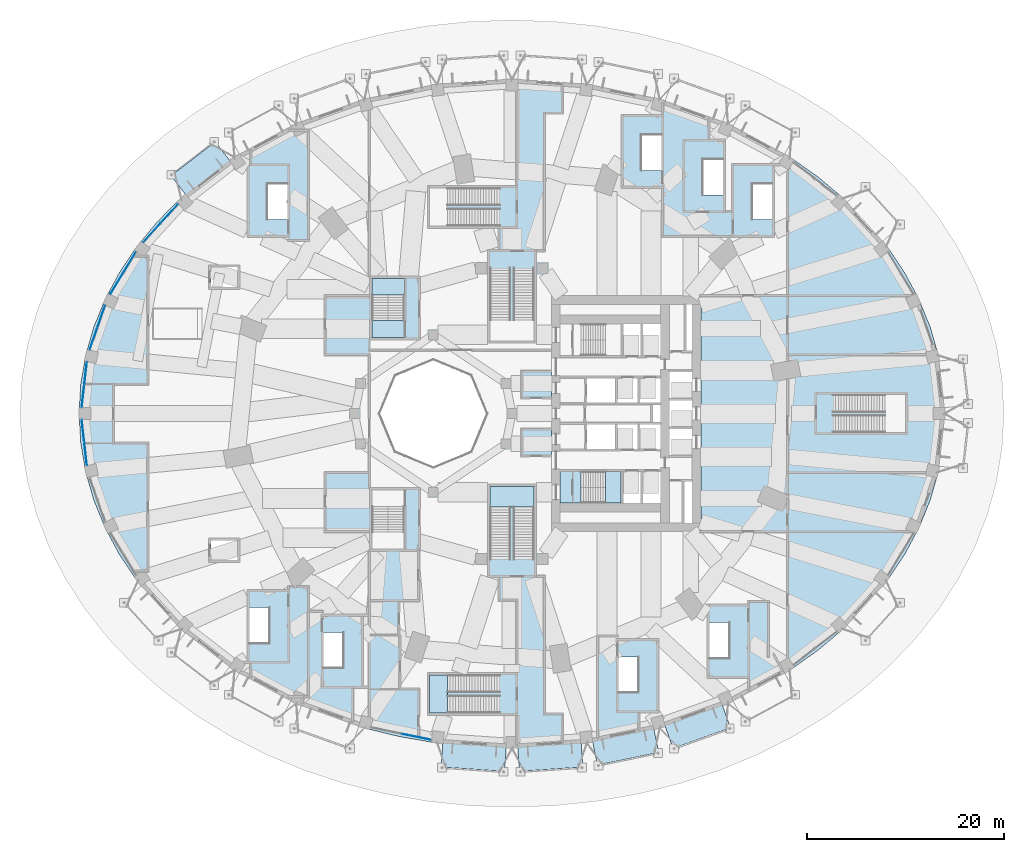
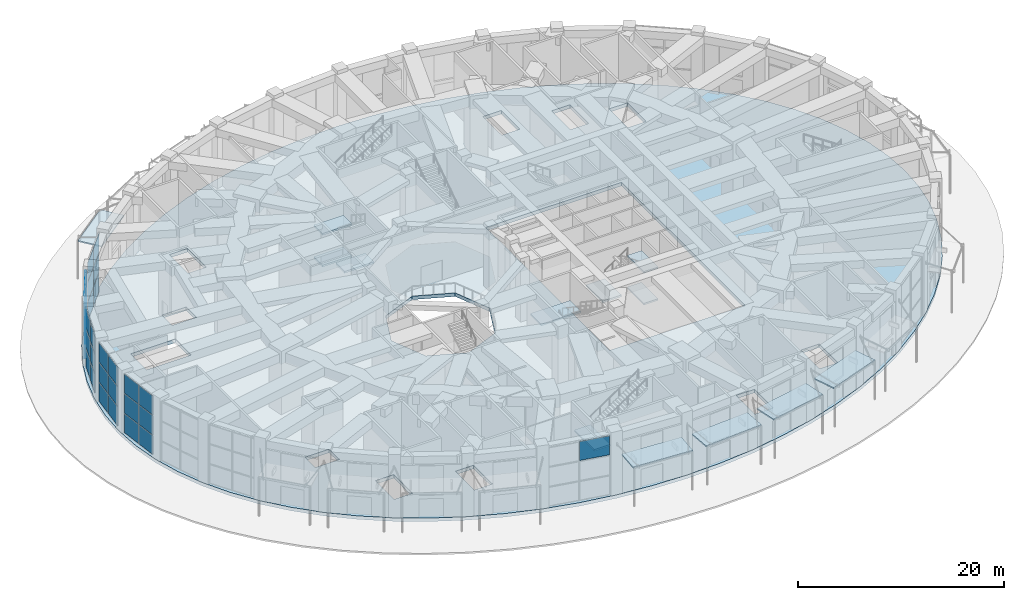
# One storey, part 31 of 60: 31 plates, 14 slabs, 10 elements without a shape of their own.
"""IFC4 building model written with IfcOpenShell, lengths in metres."""

from ifc_helpers import new_model, si_unit, direction, frame, origin, origin_2d, place, context, subcontext, project, spatial, polyline, rectangle, outline, extrude, material, layer, layer_set, constituent, constituent_set, type_object, element, aggregate, save


model = new_model("IFC4")

# Units and contexts
model_context = context("Model", 3, precision=1e-05, world=origin(), true_north=direction((0.0, 1.0)))
body_context = subcontext(model_context, "Body", "Model", "MODEL_VIEW")
ifc_project = project(units=[si_unit("LENGTHUNIT", "METRE"), si_unit("AREAUNIT", "SQUARE_METRE"), si_unit("VOLUMEUNIT", "CUBIC_METRE"), si_unit("PLANEANGLEUNIT", "RADIAN"), si_unit("MASSUNIT", "GRAM", prefix="KILO")], contexts=[model_context])

# Site, building, storey
site_placement = place(None, origin())
site = spatial("IfcSite", under=ifc_project, at=site_placement, CompositionType="ELEMENT")
building_placement = place(site_placement, origin())
building = spatial("IfcBuilding", under=site, at=building_placement, Name="Taillehof Tower", CompositionType="ELEMENT")
storey_placement = place(building_placement, origin())
storey = spatial("IfcBuildingStorey", under=building, at=storey_placement, Name="L00", CompositionType="ELEMENT", Elevation=0.0)

# Slabs
ifc_material_1 = material(Name="Steel S460M", Category="steel")
ifc_constituent_1 = constituent(ifc_material_1, Name="Plate", Category="steel")
ifc_material_2 = material(Name="Aluminium soffit", Category="aluminium")
ifc_constituent_2 = constituent(ifc_material_2, Name="Soffit", Category="aluminium")
ifc_constituent_set = constituent_set(constituents=[ifc_constituent_1, ifc_constituent_2], Name="Entrance canopy 150")
slab_type_1 = type_object("IfcSlabType", Name="Entrance canopy 150", PredefinedType="ROOF", material=ifc_constituent_set)
slab_1_placement = place(storey_placement, frame((0.0, 0.0, 4.449951171875)))
element("IfcSlab", 1, at=slab_1_placement, inside=storey, type_object=slab_type_1, Name="Canopy over E2", PredefinedType="ROOF", context=body_context, shape_type="SweptSolid", body=[
    extrude(outline(polyline([(-28.62841796875, 25.6513671875), (-33.124267578125, 22.191162109375), (-34.64892578125, 24.172119140625), (-30.1533203125, 27.632568359375), (-28.62841796875, 25.6513671875)])), origin(), (0.0, 0.0, 1.0), 0.150146484375),
])
slab_2_placement = place(storey_placement, frame((0.0, 0.0, 4.449951171875)))
element("IfcSlab", 2, at=slab_2_placement, inside=storey, type_object=slab_type_1, Name="Canopy over E5", PredefinedType="ROOF", context=body_context, shape_type="SweptSolid", body=[
    extrude(outline(polyline([(-7.02685546875, -33.426513671875), (-0.576904296875, -33.86083984375), (-0.74462890625, -36.355224609375), (-7.19482421875, -35.9208984375), (-7.02685546875, -33.426513671875)])), origin(), (0.0, 0.0, 1.0), 0.150146484375),
])
slab_3_placement = place(storey_placement, frame((0.0, 0.0, 4.449951171875)))
element("IfcSlab", 3, at=slab_3_placement, inside=storey, type_object=slab_type_1, Name="Canopy over E6", PredefinedType="ROOF", context=body_context, shape_type="SweptSolid", body=[
    extrude(outline(polyline([(0.576904296875, -33.86083984375), (7.02685546875, -33.426513671875), (7.19482421875, -35.9208984375), (0.74462890625, -36.355224609375), (0.576904296875, -33.86083984375)])), origin(), (0.0, 0.0, 1.0), 0.150146484375),
])
slab_4_placement = place(storey_placement, frame((0.0, 0.0, 4.449951171875)))
element("IfcSlab", 4, at=slab_4_placement, inside=storey, type_object=slab_type_1, Name="Canopy over E7", PredefinedType="ROOF", context=body_context, shape_type="SweptSolid", body=[
    extrude(outline(polyline([(8.170166015625, -33.27099609375), (14.412353515625, -31.983642578125), (14.917236328125, -34.43212890625), (8.675048828125, -35.719482421875), (8.170166015625, -33.27099609375)])), origin(), (0.0, 0.0, 1.0), 0.150146484375),
])
slab_5_placement = place(storey_placement, frame((0.0, 0.0, 4.449951171875)))
element("IfcSlab", 5, at=slab_5_placement, inside=storey, type_object=slab_type_1, Name="Canopy over E8", PredefinedType="ROOF", context=body_context, shape_type="SweptSolid", body=[
    extrude(outline(polyline([(15.5234375, -31.67138671875), (21.3583984375, -29.577392578125), (22.202880859375, -31.930419921875), (16.367919921875, -34.0244140625), (15.5234375, -31.67138671875)])), origin(), (0.0, 0.0, 1.0), 0.150146484375),
])
ifc_material_3 = material(Name="Concrete C40/50", Category="concrete")
ifc_layer_1 = layer(ifc_material_3, 0.409912109375)
ifc_layer_set_1 = layer_set([ifc_layer_1], Name="Floor slab 410")
slab_type_2 = type_object("IfcSlabType", Name="Floor slab 410", PredefinedType="FLOOR", material=ifc_layer_set_1)
slab_6_placement = place(storey_placement, frame((0.0, 0.0, -0.409912109375)))
element("IfcSlab", 6, at=slab_6_placement, inside=storey, type_object=slab_type_2, Name="Floor slab L00", PredefinedType="FLOOR", context=body_context, shape_type="SweptSolid", body=[
    extrude(outline(polyline([(44.0, 0.0), (43.83251953125, 2.96337890625), (43.33154296875, 5.904052734375), (42.500732421875, 8.7998046875), (41.346435546875, 11.628662109375), (39.87744140625, 14.368896484375), (38.10498046875, 17.0), (36.042724609375, 19.501708984375), (33.7060546875, 21.854736328125), (31.11279296875, 24.04150390625), (28.28271484375, 26.04541015625), (25.2373046875, 27.851318359375), (22.0, 29.44482421875), (18.59521484375, 30.814453125), (15.048828125, 31.949462890625), (11.387939453125, 32.841552734375), (7.640380859375, 33.4833984375), (3.8349609375, 33.87060546875), (0.0, 34.0), (-3.8349609375, 33.87060546875), (-7.640380859375, 33.4833984375), (-11.387939453125, 32.841552734375), (-15.048828125, 31.949462890625), (-18.59521484375, 30.814453125), (-22.0, 29.44482421875), (-25.2373046875, 27.851318359375), (-28.28271484375, 26.04541015625), (-31.11279296875, 24.04150390625), (-33.7060546875, 21.854736328125), (-36.042724609375, 19.501708984375), (-38.10498046875, 17.0), (-39.87744140625, 14.368896484375), (-41.346435546875, 11.628662109375), (-42.500732421875, 8.7998046875), (-43.33154296875, 5.904052734375), (-43.83251953125, 2.96337890625), (-44.0, 0.0), (-43.83251953125, -2.96337890625), (-43.33154296875, -5.904052734375), (-42.500732421875, -8.7998046875), (-41.346435546875, -11.628662109375), (-39.87744140625, -14.368896484375), (-38.10498046875, -17.0), (-36.042724609375, -19.501708984375), (-33.7060546875, -21.854736328125), (-31.11279296875, -24.04150390625), (-28.28271484375, -26.04541015625), (-25.2373046875, -27.851318359375), (-22.0, -29.44482421875), (-18.59521484375, -30.814453125), (-15.048828125, -31.949462890625), (-11.387939453125, -32.841552734375), (-7.640380859375, -33.4833984375), (-3.8349609375, -33.87060546875), (0.0, -34.0), (3.8349609375, -33.87060546875), (7.640380859375, -33.4833984375), (11.387939453125, -32.841552734375), (15.048828125, -31.949462890625), (18.59521484375, -30.814453125), (22.0, -29.44482421875), (25.2373046875, -27.851318359375), (28.28271484375, -26.04541015625), (31.11279296875, -24.04150390625), (33.7060546875, -21.854736328125), (36.042724609375, -19.501708984375), (38.10498046875, -17.0), (39.87744140625, -14.368896484375), (41.346435546875, -11.628662109375), (42.500732421875, -8.7998046875), (43.33154296875, -5.904052734375), (43.83251953125, -2.96337890625), (44.0, 0.0)]), holes=[polyline([(-19.175048828125, -22.2255859375), (-17.125, -22.2255859375), (-17.125, -25.864990234375), (-19.175048828125, -25.864990234375), (-19.175048828125, -22.2255859375)]), polyline([(-24.625, -19.7255859375), (-24.625, -23.364990234375), (-26.675048828125, -23.364990234375), (-26.675048828125, -19.7255859375), (-24.625, -19.7255859375)]), polyline([(-27.89990234375, -14.875), (-30.60009765625, -14.875), (-30.60009765625, -12.875), (-27.89990234375, -12.875), (-27.89990234375, -14.875)]), polyline([(-11.88916015625, -3.88916015625), (-13.5, 0.0), (-11.88916015625, 3.88916015625), (-8.0, 5.5), (-4.11083984375, 3.88916015625), (-2.5, 0.0), (-4.11083984375, -3.88916015625), (-8.0, -5.5), (-11.88916015625, -3.88916015625)]), polyline([(-36.5, 7.60009765625), (-36.5, 10.699951171875), (-31.5, 10.699951171875), (-31.5, 7.60009765625), (-36.5, 7.60009765625)]), polyline([(-30.60009765625, 12.875), (-30.60009765625, 14.875), (-27.89990234375, 14.875), (-27.89990234375, 12.875), (-30.60009765625, 12.875)]), polyline([(-22.824951171875, 19.7255859375), (-24.875, 19.7255859375), (-24.875, 23.364990234375), (-22.824951171875, 23.364990234375), (-22.824951171875, 19.7255859375)]), polyline([(12.875, -24.7255859375), (12.875, -28.364990234375), (10.824951171875, -28.364990234375), (10.824951171875, -24.7255859375), (12.875, -24.7255859375)]), polyline([(22.125, -21.2255859375), (22.125, -24.864990234375), (20.074951171875, -24.864990234375), (20.074951171875, -21.2255859375), (22.125, -21.2255859375)]), polyline([(4.0, -12.0), (4.0, 12.0), (19.199951171875, 12.0), (19.199951171875, -12.0), (4.0, -12.0)]), polyline([(24.375, 19.7255859375), (24.375, 23.364990234375), (26.425048828125, 23.364990234375), (26.425048828125, 19.7255859375), (24.375, 19.7255859375)]), polyline([(19.375, 22.2255859375), (19.375, 25.864990234375), (21.425048828125, 25.864990234375), (21.425048828125, 22.2255859375), (19.375, 22.2255859375)]), polyline([(13.125, 24.7255859375), (13.125, 28.364990234375), (15.175048828125, 28.364990234375), (15.175048828125, 24.7255859375), (13.125, 24.7255859375)])]), origin(), (0.0, 0.0, 1.0), 0.409912109375),
])

# Stair, slab
ifc_material_4 = material(Name="Concrete C30/37", Category="concrete")
stair_type_1 = type_object("IfcStairType", Name="Escape stair 2100 mm", PredefinedType="HALF_TURN_STAIR", material=ifc_material_4)
stair_1_placement = place(storey_placement, origin())
stair_1 = element("IfcStair", 7, at=stair_1_placement, inside=storey, type_object=stair_type_1, Name="Escape stair P2", PredefinedType="HALF_TURN_STAIR")
ifc_material_5 = material(Name="Concrete C30/37", Category="concrete")
ifc_layer_2 = layer(ifc_material_5, 0.199951171875)
ifc_layer_set_2 = layer_set([ifc_layer_2], Name="Stair landing 200 mm")
slab_type_3 = type_object("IfcSlabType", Name="Stair landing 200 mm", PredefinedType="LANDING", material=ifc_layer_set_2)
slab_7_placement = place(storey_placement, frame((0.0, 0.0, 3.550048828125)))
slab_7 = element("IfcSlab", 8, at=slab_7_placement, type_object=slab_type_3, Name="P2 landing 1", PredefinedType="LANDING", context=body_context, shape_type="SweptSolid", body=[
    extrude(outline(polyline([(-2.22509765625, -9.5), (2.22509765625, -9.5), (2.22509765625, -7.39990234375), (-2.22509765625, -7.39990234375), (-2.22509765625, -9.5)])), origin(), (0.0, 0.0, 1.0), 0.199951171875),
])
aggregate(stair_1, [slab_7])

ifc_material_6 = material(Name="Concrete C30/37", Category="concrete")
stair_type_2 = type_object("IfcStairType", Name="Escape stair 1800 mm", PredefinedType="HALF_TURN_STAIR", material=ifc_material_6)
stair_2_placement = place(storey_placement, origin())
stair_2 = element("IfcStair", 9, at=stair_2_placement, inside=storey, type_object=stair_type_2, Name="Escape stair P4", PredefinedType="HALF_TURN_STAIR")
slab_8_placement = place(storey_placement, frame((0.0, 0.0, 3.550048828125)))
slab_8 = element("IfcSlab", 10, at=slab_8_placement, type_object=slab_type_3, Name="P4 landing 1", PredefinedType="LANDING", context=body_context, shape_type="SweptSolid", body=[
    extrude(outline(polyline([(-6.56005859375, -30.425048828125), (-6.56005859375, -26.574951171875), (-8.360107421875, -26.574951171875), (-8.360107421875, -30.425048828125), (-6.56005859375, -30.425048828125)])), origin(), (0.0, 0.0, 1.0), 0.199951171875),
])
aggregate(stair_2, [slab_8])

# Stair, slabs
ifc_material_7 = material(Name="Concrete C40/50", Category="concrete")
stair_type_3 = type_object("IfcStairType", Name="Exit stair half-turn", PredefinedType="HALF_TURN_STAIR", material=ifc_material_7)
stair_3_placement = place(storey_placement, origin())
stair_3 = element("IfcStair", 11, at=stair_3_placement, inside=storey, type_object=stair_type_3, Name="Exit stair S2", PredefinedType="HALF_TURN_STAIR")
ifc_material_8 = material(Name="Concrete C40/50", Category="concrete")
ifc_layer_3 = layer(ifc_material_8, 0.2099609375)
ifc_layer_set_3 = layer_set([ifc_layer_3], Name="Stair landing C40/50 210")
slab_type_4 = type_object("IfcSlabType", Name="Stair landing C40/50 210", PredefinedType="LANDING", material=ifc_layer_set_3)
slab_9_placement = place(storey_placement, frame((0.0, 0.0, 1.6650390625)))
slab_9 = element("IfcSlab", 12, at=slab_9_placement, type_object=slab_type_4, Name="S2 landing 1", PredefinedType="LANDING", context=body_context, shape_type="SweptSolid", body=[
    extrude(outline(polyline([(9.5, -5.89990234375), (11.10009765625, -5.89990234375), (11.10009765625, -9.10009765625), (9.5, -9.10009765625), (9.5, -5.89990234375)])), origin(), (0.0, 0.0, 1.0), 0.2099609375),
])
slab_10_placement = place(storey_placement, frame((0.0, 0.0, 3.5400390625)))
slab_10 = element("IfcSlab", 13, at=slab_10_placement, type_object=slab_type_4, Name="S2 landing 2", PredefinedType="LANDING", context=body_context, shape_type="SweptSolid", body=[
    extrude(outline(polyline([(4.89990234375, -5.89990234375), (7.0, -5.89990234375), (7.0, -9.10009765625), (4.89990234375, -9.10009765625), (4.89990234375, -5.89990234375)])), origin(), (0.0, 0.0, 1.0), 0.2099609375),
])
slab_11_placement = place(storey_placement, frame((0.0, 0.0, 5.4150390625)))
slab_11 = element("IfcSlab", 14, at=slab_11_placement, type_object=slab_type_4, Name="S2 landing 3", PredefinedType="LANDING", context=body_context, shape_type="SweptSolid", body=[
    extrude(outline(polyline([(9.5, -5.89990234375), (11.10009765625, -5.89990234375), (11.10009765625, -9.10009765625), (9.5, -9.10009765625), (9.5, -5.89990234375)])), origin(), (0.0, 0.0, 1.0), 0.2099609375),
])
aggregate(stair_3, [slab_9, slab_10, slab_11])

stair_4_placement = place(storey_placement, origin())
stair_4 = element("IfcStair", 15, at=stair_4_placement, inside=storey, type_object=stair_type_3, Name="Exit stair S3", PredefinedType="HALF_TURN_STAIR")
slab_12_placement = place(storey_placement, frame((0.0, 0.0, 1.6650390625)))
slab_12 = element("IfcSlab", 16, at=slab_12_placement, type_object=slab_type_4, Name="S3 landing 1", PredefinedType="LANDING", context=body_context, shape_type="SweptSolid", body=[
    extrude(outline(polyline([(-14.25, 12.050048828125), (-14.25, 13.75), (-10.949951171875, 13.75), (-10.949951171875, 12.050048828125), (-14.25, 12.050048828125)])), origin(), (0.0, 0.0, 1.0), 0.2099609375),
])
slab_13_placement = place(storey_placement, frame((0.0, 0.0, 3.5400390625)))
slab_13 = element("IfcSlab", 17, at=slab_13_placement, type_object=slab_type_4, Name="S3 landing 2", PredefinedType="LANDING", context=body_context, shape_type="SweptSolid", body=[
    extrude(outline(polyline([(-14.25, 7.75), (-14.25, 9.449951171875), (-10.949951171875, 9.449951171875), (-10.949951171875, 7.75), (-14.25, 7.75)])), origin(), (0.0, 0.0, 1.0), 0.2099609375),
])
slab_14_placement = place(storey_placement, frame((0.0, 0.0, 5.4150390625)))
slab_14 = element("IfcSlab", 18, at=slab_14_placement, type_object=slab_type_4, Name="S3 landing 3", PredefinedType="LANDING", context=body_context, shape_type="SweptSolid", body=[
    extrude(outline(polyline([(-14.25, 12.050048828125), (-14.25, 13.75), (-10.949951171875, 13.75), (-10.949951171875, 12.050048828125), (-14.25, 12.050048828125)])), origin(), (0.0, 0.0, 1.0), 0.2099609375),
])
aggregate(stair_4, [slab_12, slab_13, slab_14])

# Curtain wall, plates
ifc_material_9 = material(Name="Aluminium curtain wall with Clear laminated safety glass", Category="aluminium")
curtain_wall_type = type_object("IfcCurtainWallType", Name="Station storefront curtain wall", PredefinedType="USERDEFINED", material=ifc_material_9)
curtain_wall_1_placement = place(storey_placement, origin())
curtain_wall_1 = element("IfcCurtainWall", 19, at=curtain_wall_1_placement, inside=storey, type_object=curtain_wall_type, Name="Station storefront L00 bay 15", ObjectType="STOREFRONT", PredefinedType="USERDEFINED")
ifc_material_10 = material(Name="Clear laminated safety glass", Category="glass")
ifc_layer_4 = layer(ifc_material_10, 0.031982421875)
ifc_layer_set_4 = layer_set([ifc_layer_4], Name="Station storefront glass panel 32")
plate_type = type_object("IfcPlateType", Name="Station storefront glass panel 32", PredefinedType="CURTAIN_PANEL", material=ifc_layer_set_4)
plate_1_placement = place(storey_placement, frame((-34.81982421875, 20.330322265625, 0.080078125), z_axis=(0.0, 0.0, 1.0), x_axis=(-0.672928961769, -0.739707112587, 0.0)))
plate_1 = element("IfcPlate", 20, at=plate_1_placement, type_object=plate_type, Name="CT115 panel 1.1", PredefinedType="CURTAIN_PANEL", context=body_context, shape_type="SweptSolid", body=[
    extrude(rectangle(XDim=2.568115234375, YDim=0.031982421875, at=origin_2d()), origin(), (0.0, 0.0, 1.0), 2.243408203125),
])
plate_2_placement = place(storey_placement, frame((-34.81982421875, 20.330322265625, 2.4033203125), z_axis=(0.0, 0.0, 1.0), x_axis=(-0.672928961769, -0.739707112587, 0.0)))
plate_2 = element("IfcPlate", 21, at=plate_2_placement, type_object=plate_type, Name="CT115 panel 1.2", PredefinedType="CURTAIN_PANEL", context=body_context, shape_type="SweptSolid", body=[
    extrude(rectangle(XDim=2.568115234375, YDim=0.031982421875, at=origin_2d()), origin(), (0.0, 0.0, 1.0), 2.283447265625),
])
plate_3_placement = place(storey_placement, frame((-34.81982421875, 20.330322265625, 4.7666015625), z_axis=(0.0, 0.0, 1.0), x_axis=(-0.672928961769, -0.739707112587, 0.0)))
plate_3 = element("IfcPlate", 22, at=plate_3_placement, type_object=plate_type, Name="CT115 panel 1.3", PredefinedType="CURTAIN_PANEL", context=body_context, shape_type="SweptSolid", body=[
    extrude(rectangle(XDim=2.568115234375, YDim=0.031982421875, at=origin_2d()), origin(), (0.0, 0.0, 1.0), 2.243408203125),
])
plate_4_placement = place(storey_placement, frame((-36.601806640625, 18.37158203125, 0.080078125), z_axis=(0.0, 0.0, 1.0), x_axis=(-0.672928961769, -0.739707112587, 0.0)))
plate_4 = element("IfcPlate", 23, at=plate_4_placement, type_object=plate_type, Name="CT115 panel 2.1", PredefinedType="CURTAIN_PANEL", context=body_context, shape_type="SweptSolid", body=[
    extrude(rectangle(XDim=2.568115234375, YDim=0.031982421875, at=origin_2d()), origin(), (0.0, 0.0, 1.0), 2.243408203125),
])
plate_5_placement = place(storey_placement, frame((-36.601806640625, 18.37158203125, 2.4033203125), z_axis=(0.0, 0.0, 1.0), x_axis=(-0.672928961769, -0.739707112587, 0.0)))
plate_5 = element("IfcPlate", 24, at=plate_5_placement, type_object=plate_type, Name="CT115 panel 2.2", PredefinedType="CURTAIN_PANEL", context=body_context, shape_type="SweptSolid", body=[
    extrude(rectangle(XDim=2.568115234375, YDim=0.031982421875, at=origin_2d()), origin(), (0.0, 0.0, 1.0), 2.283447265625),
])
plate_6_placement = place(storey_placement, frame((-36.601806640625, 18.37158203125, 4.7666015625), z_axis=(0.0, 0.0, 1.0), x_axis=(-0.672928961769, -0.739707112587, 0.0)))
plate_6 = element("IfcPlate", 25, at=plate_6_placement, type_object=plate_type, Name="CT115 panel 2.3", PredefinedType="CURTAIN_PANEL", context=body_context, shape_type="SweptSolid", body=[
    extrude(rectangle(XDim=2.568115234375, YDim=0.031982421875, at=origin_2d()), origin(), (0.0, 0.0, 1.0), 2.243408203125),
])
aggregate(curtain_wall_1, [plate_1, plate_2, plate_3, plate_4, plate_5, plate_6])

curtain_wall_2_placement = place(storey_placement, origin())
curtain_wall_2 = element("IfcCurtainWall", 26, at=curtain_wall_2_placement, inside=storey, type_object=curtain_wall_type, Name="Station storefront L00 bay 16", ObjectType="STOREFRONT", PredefinedType="USERDEFINED")
plate_7_placement = place(storey_placement, frame((-38.87353515625, 15.340576171875, 0.080078125), z_axis=(0.0, 0.0, 1.0), x_axis=(-0.518151483931, -0.855288863309, 0.0)))
plate_7 = element("IfcPlate", 27, at=plate_7_placement, type_object=plate_type, Name="CT116 panel 1.1", PredefinedType="CURTAIN_PANEL", context=body_context, shape_type="SweptSolid", body=[
    extrude(rectangle(XDim=2.431884765625, YDim=0.031982421875, at=origin_2d()), origin(), (0.0, 0.0, 1.0), 2.243408203125),
])
plate_8_placement = place(storey_placement, frame((-38.87353515625, 15.340576171875, 2.4033203125), z_axis=(0.0, 0.0, 1.0), x_axis=(-0.518151483931, -0.855288863309, 0.0)))
plate_8 = element("IfcPlate", 28, at=plate_8_placement, type_object=plate_type, Name="CT116 panel 1.2", PredefinedType="CURTAIN_PANEL", context=body_context, shape_type="SweptSolid", body=[
    extrude(rectangle(XDim=2.431884765625, YDim=0.031982421875, at=origin_2d()), origin(), (0.0, 0.0, 1.0), 2.283447265625),
])
plate_9_placement = place(storey_placement, frame((-38.87353515625, 15.340576171875, 4.7666015625), z_axis=(0.0, 0.0, 1.0), x_axis=(-0.518151483931, -0.855288863309, 0.0)))
plate_9 = element("IfcPlate", 29, at=plate_9_placement, type_object=plate_type, Name="CT116 panel 1.3", PredefinedType="CURTAIN_PANEL", context=body_context, shape_type="SweptSolid", body=[
    extrude(rectangle(XDim=2.431884765625, YDim=0.031982421875, at=origin_2d()), origin(), (0.0, 0.0, 1.0), 2.243408203125),
])
plate_10_placement = place(storey_placement, frame((-40.175048828125, 13.192138671875, 0.080078125), z_axis=(0.0, 0.0, 1.0), x_axis=(-0.518151483931, -0.855288863309, 0.0)))
plate_10 = element("IfcPlate", 30, at=plate_10_placement, type_object=plate_type, Name="CT116 panel 2.1", PredefinedType="CURTAIN_PANEL", context=body_context, shape_type="SweptSolid", body=[
    extrude(rectangle(XDim=2.431884765625, YDim=0.031982421875, at=origin_2d()), origin(), (0.0, 0.0, 1.0), 2.243408203125),
])
plate_11_placement = place(storey_placement, frame((-40.175048828125, 13.192138671875, 2.4033203125), z_axis=(0.0, 0.0, 1.0), x_axis=(-0.518151483931, -0.855288863309, 0.0)))
plate_11 = element("IfcPlate", 31, at=plate_11_placement, type_object=plate_type, Name="CT116 panel 2.2", PredefinedType="CURTAIN_PANEL", context=body_context, shape_type="SweptSolid", body=[
    extrude(rectangle(XDim=2.431884765625, YDim=0.031982421875, at=origin_2d()), origin(), (0.0, 0.0, 1.0), 2.283447265625),
])
plate_12_placement = place(storey_placement, frame((-40.175048828125, 13.192138671875, 4.7666015625), z_axis=(0.0, 0.0, 1.0), x_axis=(-0.518151483931, -0.855288863309, 0.0)))
plate_12 = element("IfcPlate", 32, at=plate_12_placement, type_object=plate_type, Name="CT116 panel 2.3", PredefinedType="CURTAIN_PANEL", context=body_context, shape_type="SweptSolid", body=[
    extrude(rectangle(XDim=2.431884765625, YDim=0.031982421875, at=origin_2d()), origin(), (0.0, 0.0, 1.0), 2.243408203125),
])
aggregate(curtain_wall_2, [plate_7, plate_8, plate_9, plate_10, plate_11, plate_12])

curtain_wall_3_placement = place(storey_placement, origin())
curtain_wall_3 = element("IfcCurtainWall", 33, at=curtain_wall_3_placement, inside=storey, type_object=curtain_wall_type, Name="Station storefront L00 bay 17", ObjectType="STOREFRONT", PredefinedType="USERDEFINED")
plate_13_placement = place(storey_placement, frame((-41.74072265625, 9.877685546875, 0.080078125), z_axis=(0.0, 0.0, 1.0), x_axis=(-0.328757610934, -0.944414333464, 0.0)))
plate_13 = element("IfcPlate", 34, at=plate_13_placement, type_object=plate_type, Name="CT117 panel 1.1", PredefinedType="CURTAIN_PANEL", context=body_context, shape_type="SweptSolid", body=[
    extrude(rectangle(XDim=2.326904296875, YDim=0.031982421875, at=origin_2d()), origin(), (0.0, 0.0, 1.0), 2.243408203125),
])
plate_14_placement = place(storey_placement, frame((-41.74072265625, 9.877685546875, 2.4033203125), z_axis=(0.0, 0.0, 1.0), x_axis=(-0.328757610934, -0.944414333464, 0.0)))
plate_14 = element("IfcPlate", 35, at=plate_14_placement, type_object=plate_type, Name="CT117 panel 1.2", PredefinedType="CURTAIN_PANEL", context=body_context, shape_type="SweptSolid", body=[
    extrude(rectangle(XDim=2.326904296875, YDim=0.031982421875, at=origin_2d()), origin(), (0.0, 0.0, 1.0), 2.283447265625),
])
plate_15_placement = place(storey_placement, frame((-41.74072265625, 9.877685546875, 4.7666015625), z_axis=(0.0, 0.0, 1.0), x_axis=(-0.328757610934, -0.944414333464, 0.0)))
plate_15 = element("IfcPlate", 36, at=plate_15_placement, type_object=plate_type, Name="CT117 panel 1.3", PredefinedType="CURTAIN_PANEL", context=body_context, shape_type="SweptSolid", body=[
    extrude(rectangle(XDim=2.326904296875, YDim=0.031982421875, at=origin_2d()), origin(), (0.0, 0.0, 1.0), 2.243408203125),
])
plate_16_placement = place(storey_placement, frame((-42.531982421875, 7.604736328125, 0.080078125), z_axis=(0.0, 0.0, 1.0), x_axis=(-0.328757610934, -0.944414333464, 0.0)))
plate_16 = element("IfcPlate", 37, at=plate_16_placement, type_object=plate_type, Name="CT117 panel 2.1", PredefinedType="CURTAIN_PANEL", context=body_context, shape_type="SweptSolid", body=[
    extrude(rectangle(XDim=2.326904296875, YDim=0.031982421875, at=origin_2d()), origin(), (0.0, 0.0, 1.0), 2.243408203125),
])
plate_17_placement = place(storey_placement, frame((-42.531982421875, 7.604736328125, 2.4033203125), z_axis=(0.0, 0.0, 1.0), x_axis=(-0.328757610934, -0.944414333464, 0.0)))
plate_17 = element("IfcPlate", 38, at=plate_17_placement, type_object=plate_type, Name="CT117 panel 2.2", PredefinedType="CURTAIN_PANEL", context=body_context, shape_type="SweptSolid", body=[
    extrude(rectangle(XDim=2.326904296875, YDim=0.031982421875, at=origin_2d()), origin(), (0.0, 0.0, 1.0), 2.283447265625),
])
plate_18_placement = place(storey_placement, frame((-42.531982421875, 7.604736328125, 4.7666015625), z_axis=(0.0, 0.0, 1.0), x_axis=(-0.328757610934, -0.944414333464, 0.0)))
plate_18 = element("IfcPlate", 39, at=plate_18_placement, type_object=plate_type, Name="CT117 panel 2.3", PredefinedType="CURTAIN_PANEL", context=body_context, shape_type="SweptSolid", body=[
    extrude(rectangle(XDim=2.326904296875, YDim=0.031982421875, at=origin_2d()), origin(), (0.0, 0.0, 1.0), 2.243408203125),
])
aggregate(curtain_wall_3, [plate_13, plate_14, plate_15, plate_16, plate_17, plate_18])

curtain_wall_4_placement = place(storey_placement, origin())
curtain_wall_4 = element("IfcCurtainWall", 40, at=curtain_wall_4_placement, inside=storey, type_object=curtain_wall_type, Name="Station storefront L00 bay 18", ObjectType="STOREFRONT", PredefinedType="USERDEFINED")
plate_19_placement = place(storey_placement, frame((-43.331298828125, 4.111572265625, 0.080078125), z_axis=(0.0, 0.0, 1.0), x_axis=(-0.112932433888, -0.993602669771, 0.0)))
plate_19 = element("IfcPlate", 41, at=plate_19_placement, type_object=plate_type, Name="CT118 panel 1.1", PredefinedType="CURTAIN_PANEL", context=body_context, shape_type="SweptSolid", body=[
    extrude(rectangle(XDim=2.26953125, YDim=0.031982421875, at=origin_2d()), origin(), (0.0, 0.0, 1.0), 2.243408203125),
])
plate_20_placement = place(storey_placement, frame((-43.331298828125, 4.111572265625, 2.4033203125), z_axis=(0.0, 0.0, 1.0), x_axis=(-0.112932433888, -0.993602669771, 0.0)))
plate_20 = element("IfcPlate", 42, at=plate_20_placement, type_object=plate_type, Name="CT118 panel 1.2", PredefinedType="CURTAIN_PANEL", context=body_context, shape_type="SweptSolid", body=[
    extrude(rectangle(XDim=2.26953125, YDim=0.031982421875, at=origin_2d()), origin(), (0.0, 0.0, 1.0), 2.283447265625),
])
plate_21_placement = place(storey_placement, frame((-43.331298828125, 4.111572265625, 4.7666015625), z_axis=(0.0, 0.0, 1.0), x_axis=(-0.112932433888, -0.993602669771, 0.0)))
plate_21 = element("IfcPlate", 43, at=plate_21_placement, type_object=plate_type, Name="CT118 panel 1.3", PredefinedType="CURTAIN_PANEL", context=body_context, shape_type="SweptSolid", body=[
    extrude(rectangle(XDim=2.26953125, YDim=0.031982421875, at=origin_2d()), origin(), (0.0, 0.0, 1.0), 2.243408203125),
])
plate_22_placement = place(storey_placement, frame((-43.5966796875, 1.777099609375, 0.080078125), z_axis=(0.0, 0.0, 1.0), x_axis=(-0.112932433888, -0.993602669771, 0.0)))
plate_22 = element("IfcPlate", 44, at=plate_22_placement, type_object=plate_type, Name="CT118 panel 2.1", PredefinedType="CURTAIN_PANEL", context=body_context, shape_type="SweptSolid", body=[
    extrude(rectangle(XDim=2.26953125, YDim=0.031982421875, at=origin_2d()), origin(), (0.0, 0.0, 1.0), 2.243408203125),
])
plate_23_placement = place(storey_placement, frame((-43.5966796875, 1.777099609375, 2.4033203125), z_axis=(0.0, 0.0, 1.0), x_axis=(-0.112932433888, -0.993602669771, 0.0)))
plate_23 = element("IfcPlate", 45, at=plate_23_placement, type_object=plate_type, Name="CT118 panel 2.2", PredefinedType="CURTAIN_PANEL", context=body_context, shape_type="SweptSolid", body=[
    extrude(rectangle(XDim=2.26953125, YDim=0.031982421875, at=origin_2d()), origin(), (0.0, 0.0, 1.0), 2.283447265625),
])
plate_24_placement = place(storey_placement, frame((-43.5966796875, 1.777099609375, 4.7666015625), z_axis=(0.0, 0.0, 1.0), x_axis=(-0.112932433888, -0.993602669771, 0.0)))
plate_24 = element("IfcPlate", 46, at=plate_24_placement, type_object=plate_type, Name="CT118 panel 2.3", PredefinedType="CURTAIN_PANEL", context=body_context, shape_type="SweptSolid", body=[
    extrude(rectangle(XDim=2.26953125, YDim=0.031982421875, at=origin_2d()), origin(), (0.0, 0.0, 1.0), 2.243408203125),
])
aggregate(curtain_wall_4, [plate_19, plate_20, plate_21, plate_22, plate_23, plate_24])

curtain_wall_5_placement = place(storey_placement, origin())
curtain_wall_5 = element("IfcCurtainWall", 47, at=curtain_wall_5_placement, inside=storey, type_object=curtain_wall_type, Name="Station storefront L00 bay 19", ObjectType="STOREFRONT", PredefinedType="USERDEFINED")
plate_25_placement = place(storey_placement, frame((-43.5966796875, -1.777099609375, 0.080078125), z_axis=(0.0, 0.0, 1.0), x_axis=(0.112932433888, -0.993602669771, 0.0)))
plate_25 = element("IfcPlate", 48, at=plate_25_placement, type_object=plate_type, Name="CT119 panel 1.1", PredefinedType="CURTAIN_PANEL", context=body_context, shape_type="SweptSolid", body=[
    extrude(rectangle(XDim=2.26953125, YDim=0.031982421875, at=origin_2d()), origin(), (0.0, 0.0, 1.0), 2.243408203125),
])
plate_26_placement = place(storey_placement, frame((-43.5966796875, -1.777099609375, 2.4033203125), z_axis=(0.0, 0.0, 1.0), x_axis=(0.112932433888, -0.993602669771, 0.0)))
plate_26 = element("IfcPlate", 49, at=plate_26_placement, type_object=plate_type, Name="CT119 panel 1.2", PredefinedType="CURTAIN_PANEL", context=body_context, shape_type="SweptSolid", body=[
    extrude(rectangle(XDim=2.26953125, YDim=0.031982421875, at=origin_2d()), origin(), (0.0, 0.0, 1.0), 2.283447265625),
])
plate_27_placement = place(storey_placement, frame((-43.5966796875, -1.777099609375, 4.7666015625), z_axis=(0.0, 0.0, 1.0), x_axis=(0.112932433888, -0.993602669771, 0.0)))
plate_27 = element("IfcPlate", 50, at=plate_27_placement, type_object=plate_type, Name="CT119 panel 1.3", PredefinedType="CURTAIN_PANEL", context=body_context, shape_type="SweptSolid", body=[
    extrude(rectangle(XDim=2.26953125, YDim=0.031982421875, at=origin_2d()), origin(), (0.0, 0.0, 1.0), 2.243408203125),
])
plate_28_placement = place(storey_placement, frame((-43.331298828125, -4.111572265625, 0.080078125), z_axis=(0.0, 0.0, 1.0), x_axis=(0.112932433888, -0.993602669771, 0.0)))
plate_28 = element("IfcPlate", 51, at=plate_28_placement, type_object=plate_type, Name="CT119 panel 2.1", PredefinedType="CURTAIN_PANEL", context=body_context, shape_type="SweptSolid", body=[
    extrude(rectangle(XDim=2.26953125, YDim=0.031982421875, at=origin_2d()), origin(), (0.0, 0.0, 1.0), 2.243408203125),
])
plate_29_placement = place(storey_placement, frame((-43.331298828125, -4.111572265625, 2.4033203125), z_axis=(0.0, 0.0, 1.0), x_axis=(0.112932433888, -0.993602669771, 0.0)))
plate_29 = element("IfcPlate", 52, at=plate_29_placement, type_object=plate_type, Name="CT119 panel 2.2", PredefinedType="CURTAIN_PANEL", context=body_context, shape_type="SweptSolid", body=[
    extrude(rectangle(XDim=2.26953125, YDim=0.031982421875, at=origin_2d()), origin(), (0.0, 0.0, 1.0), 2.283447265625),
])
plate_30_placement = place(storey_placement, frame((-43.331298828125, -4.111572265625, 4.7666015625), z_axis=(0.0, 0.0, 1.0), x_axis=(0.112932433888, -0.993602669771, 0.0)))
plate_30 = element("IfcPlate", 53, at=plate_30_placement, type_object=plate_type, Name="CT119 panel 2.3", PredefinedType="CURTAIN_PANEL", context=body_context, shape_type="SweptSolid", body=[
    extrude(rectangle(XDim=2.26953125, YDim=0.031982421875, at=origin_2d()), origin(), (0.0, 0.0, 1.0), 2.243408203125),
])
aggregate(curtain_wall_5, [plate_25, plate_26, plate_27, plate_28, plate_29, plate_30])

# Curtain wall, plate
curtain_wall_6_placement = place(storey_placement, origin())
curtain_wall_6 = element("IfcCurtainWall", 54, at=curtain_wall_6_placement, inside=storey, type_object=curtain_wall_type, Name="Station storefront L00 bay 26", ObjectType="STOREFRONT", PredefinedType="USERDEFINED")
plate_31_placement = place(storey_placement, frame((-9.72998046875, -32.84716796875, 4.7666015625), z_axis=(0.0, 0.0, 1.0), x_axis=(0.97939047099, -0.201976001877, 0.0)))
plate_31 = element("IfcPlate", 55, at=plate_31_placement, type_object=plate_type, Name="CT126 panel 2.3", PredefinedType="CURTAIN_PANEL", context=body_context, shape_type="SweptSolid", body=[
    extrude(rectangle(XDim=3.06689453125, YDim=0.031982421875, at=origin_2d()), origin(), (0.0, 0.0, 1.0), 2.243408203125),
])
aggregate(curtain_wall_6, [plate_31])

save(model, "model.ifc")
